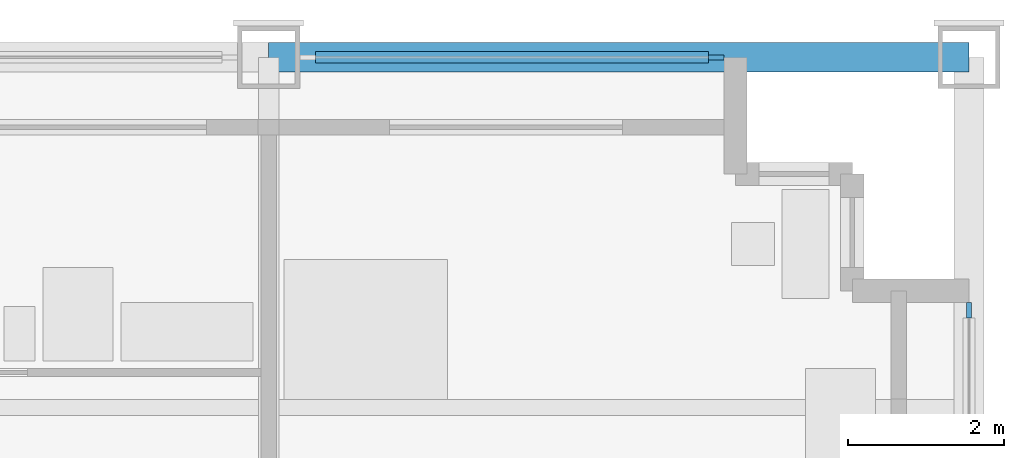
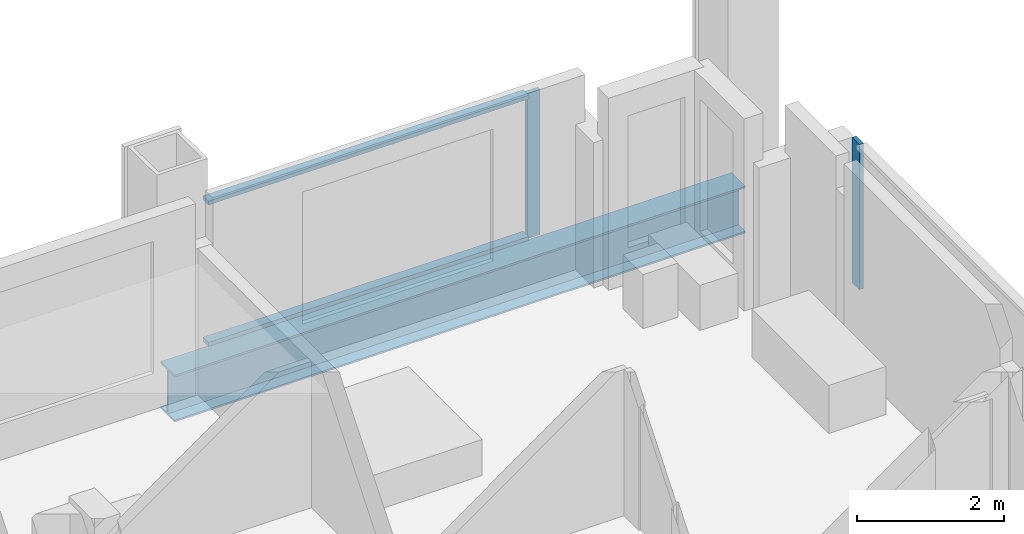
# One storey, part 7 of 16: 4 members, 1 beam, 2 elements without a shape of their own.
"""IFC4 building model written with IfcOpenShell, lengths in metres."""

from ifc_helpers import new_model, si_unit, direction, frame, origin, origin_2d, place, context, subcontext, project, spatial, rectangle, i_section, extrude, material, material_profile, profile_set, type_object, element, aggregate, save


model = new_model("IFC4")

# Units and contexts
model_context = context("Model", 3, precision=1e-05, world=origin(), true_north=direction((0.0, 1.0)))
body_context = subcontext(model_context, "Body", "Model", "MODEL_VIEW")
ifc_project = project(units=[si_unit("LENGTHUNIT", "METRE"), si_unit("AREAUNIT", "SQUARE_METRE"), si_unit("VOLUMEUNIT", "CUBIC_METRE"), si_unit("PLANEANGLEUNIT", "RADIAN"), si_unit("MASSUNIT", "GRAM", prefix="KILO")], contexts=[model_context])

# Site, building, storey
site_placement = place(None, origin())
site = spatial("IfcSite", under=ifc_project, at=site_placement, CompositionType="ELEMENT")
building_placement = place(site_placement, origin())
building = spatial("IfcBuilding", under=site, at=building_placement, Name="Loomwork Tower", CompositionType="ELEMENT")
storey_placement = place(building_placement, frame((0.0, 0.0, 128.199951171875)))
storey = spatial("IfcBuildingStorey", under=building, at=storey_placement, Name="L34", CompositionType="ELEMENT", Elevation=128.199951171875)

# Curtain wall, member
ifc_material_1 = material(Name="Aluminium curtain wall frame", Category="aluminium")
curtain_wall_type = type_object("IfcCurtainWallType", Name="Outer skin glazing hotel", PredefinedType="NOTDEFINED", material=ifc_material_1)
curtain_wall_1_placement = place(storey_placement, origin())
curtain_wall_1 = element("IfcCurtainWall", 1, at=curtain_wall_1_placement, inside=storey, type_object=curtain_wall_type, Name="Outer skin glazing hotel cw/N-36", PredefinedType="NOTDEFINED")
ifc_material_2 = material(Name="Aluminium curtain wall frame", Category="aluminium")
ifc_material_profile_1 = material_profile(ifc_material_2, rectangle(XDim=0.06494140625, YDim=0.199951171875, at=origin_2d()), Name="AL 65x200")
ifc_profile_set_1 = profile_set([ifc_material_profile_1], Name="Aluminium curtain wall frame")
member_type_1 = type_object("IfcMemberType", Name="Outer skin glazing hotel mullion", PredefinedType="MULLION", material=ifc_profile_set_1)
member_1_placement = place(storey_placement, frame((41.75, 36.0, 0.0), z_axis=(0.0, 0.0, 1.0), x_axis=(0.0, -1.0, 0.0)))
member_1 = element("IfcMember", 2, at=member_1_placement, type_object=member_type_1, Name="CW1 mullion 1", PredefinedType="MULLION", context=body_context, shape_type="SweptSolid", body=[
    extrude(rectangle(XDim=0.06494140625, YDim=0.199951171875, at=origin_2d()), origin(), (0.0, 0.0, 1.0), 2.420166015625),
])

curtain_wall_2_placement = place(storey_placement, origin())
curtain_wall_2 = element("IfcCurtainWall", 3, at=curtain_wall_2_placement, inside=storey, type_object=curtain_wall_type, Name="Outer skin glazing hotel cw/E-27", PredefinedType="NOTDEFINED")
member_2_placement = place(storey_placement, frame((45.0, 32.75, 0.0), z_axis=(0.0, 0.0, 1.0), x_axis=(-1.0, 0.0, 0.0)))
member_2 = element("IfcMember", 4, at=member_2_placement, type_object=member_type_1, Name="CW1 mullion 2", PredefinedType="MULLION", context=body_context, shape_type="SweptSolid", body=[
    extrude(rectangle(XDim=0.06494140625, YDim=0.199951171875, at=origin_2d()), origin(), (0.0, 0.0, 1.0), 2.420166015625),
])
aggregate(curtain_wall_2, [member_2])

# Member
ifc_material_3 = material(Name="Aluminium curtain wall frame", Category="aluminium")
ifc_material_profile_2 = material_profile(ifc_material_3, rectangle(XDim=0.14990234375, YDim=0.06494140625, at=origin_2d()), Name="AL 65x150")
ifc_profile_set_2 = profile_set([ifc_material_profile_2], Name="Aluminium curtain wall frame")
member_type_2 = type_object("IfcMemberType", Name="Outer skin glazing hotel transom", PredefinedType="USERDEFINED", material=ifc_profile_set_2)
member_3_placement = place(storey_placement, frame((41.64990234375, 36.0, 0.032470703125), z_axis=(-1.0, 0.0, 0.0), x_axis=(0.0, -1.0, 0.0)))
member_3 = element("IfcMember", 5, at=member_3_placement, type_object=member_type_2, Name="CW1 transom 1.1", ObjectType="TRANSOM", PredefinedType="USERDEFINED", context=body_context, shape_type="SweptSolid", body=[
    extrude(rectangle(XDim=0.14990234375, YDim=0.06494140625, at=origin_2d()), origin(), (0.0, 0.0, 1.0), 5.0498046875),
])

member_4_placement = place(storey_placement, frame((41.64990234375, 36.0, 2.3876953125), z_axis=(-1.0, 0.0, 0.0), x_axis=(0.0, -1.0, 0.0)))
member_4 = element("IfcMember", 6, at=member_4_placement, type_object=member_type_2, Name="CW1 transom 1.2", ObjectType="TRANSOM", PredefinedType="USERDEFINED", context=body_context, shape_type="SweptSolid", body=[
    extrude(rectangle(XDim=0.14990234375, YDim=0.06494140625, at=origin_2d()), origin(), (0.0, 0.0, 1.0), 5.0498046875),
])

aggregate(curtain_wall_1, [member_1, member_3, member_4])

# Beam
ifc_material_4 = material(Name="Steel ASTM A992", Category="steel")
ifc_material_profile_3 = material_profile(ifc_material_4, i_section(OverallWidth=0.381103515625, OverallDepth=0.77978515625, WebThickness=0.01806640625, FlangeThickness=0.0302734375, at=origin_2d()), Name="W30x191")
ifc_profile_set_3 = profile_set([ifc_material_profile_3], Name="Steel ASTM A992")
beam_type = type_object("IfcBeamType", Name="SPANDREL GIRDER W30x191", PredefinedType="SPANDREL", material=ifc_profile_set_3)
beam_placement = place(storey_placement, frame((36.0, 36.0, -0.58984375), z_axis=(1.0, 0.0, 0.0), x_axis=(0.0, 1.0, 0.0)))
element("IfcBeam", 7, at=beam_placement, inside=storey, type_object=beam_type, Name="Spandrel Girder H/6-H/7 L34", PredefinedType="SPANDREL", context=body_context, shape_type="SweptSolid", body=[
    extrude(i_section(OverallWidth=0.381103515625, OverallDepth=0.77978515625, WebThickness=0.01806640625, FlangeThickness=0.0302734375, at=origin_2d()), origin(), (0.0, 0.0, 1.0), 9.0),
])

save(model, "model.ifc")
